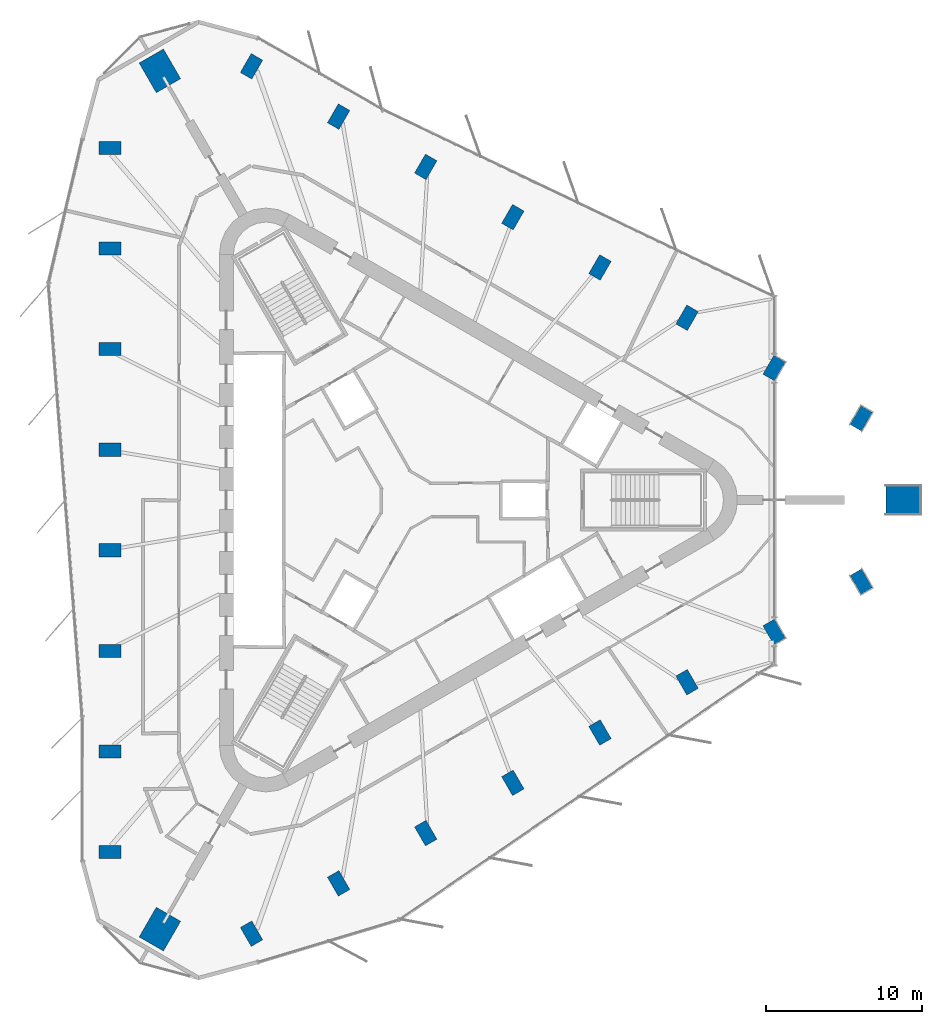
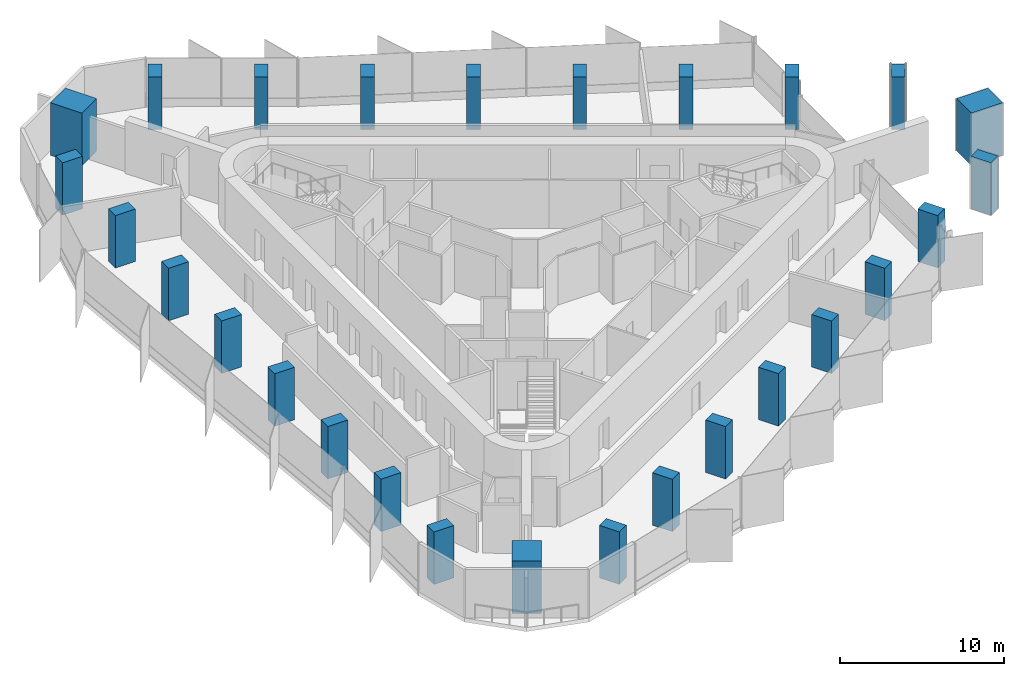
# One storey, part 1 of 12: 27 columns.
"""IFC4 building model written with IfcOpenShell, lengths in metres."""

from ifc_helpers import new_model, si_unit, direction, frame, origin, origin_2d, place, context, subcontext, project, spatial, rectangle, extrude, material, material_profile, profile_set, type_object, element, save


model = new_model("IFC4")

# Units and contexts
model_context = context("Model", 3, precision=1e-05, world=origin(), true_north=direction((0.0, 1.0)))
body_context = subcontext(model_context, "Body", "Model", "MODEL_VIEW")
ifc_project = project(units=[si_unit("LENGTHUNIT", "METRE"), si_unit("AREAUNIT", "SQUARE_METRE"), si_unit("VOLUMEUNIT", "CUBIC_METRE"), si_unit("PLANEANGLEUNIT", "RADIAN"), si_unit("MASSUNIT", "GRAM", prefix="KILO")], contexts=[model_context])

# Site, building, storey
site_placement = place(None, origin())
site = spatial("IfcSite", under=ifc_project, at=site_placement, CompositionType="ELEMENT")
building_placement = place(site_placement, origin())
building = spatial("IfcBuilding", under=site, at=building_placement, Name="Tanit Gate Tower", CompositionType="ELEMENT")
storey_placement = place(building_placement, frame((0.0, 0.0, 368.89990234375)))
storey = spatial("IfcBuildingStorey", under=building, at=storey_placement, Name="L84", CompositionType="ELEMENT", Elevation=368.89990234375)

# Columns
ifc_material_1 = material(Name="Concrete C50/60", Category="concrete")
ifc_material_profile_1 = material_profile(ifc_material_1, rectangle(XDim=2.199951171875, YDim=1.800048828125, at=origin_2d()), Name="RC 2200x1800")
ifc_profile_set_1 = profile_set([ifc_material_profile_1], Name="Concrete C50/60")
column_type_1 = type_object("IfcColumnType", Name="MEGA COLUMN 2200x1800 C50/60", PredefinedType="COLUMN", material=ifc_profile_set_1)
for number, where, z_axis, x_axis, name in (
    (1, (31.843505859375, 0.0, 0.0), (0.0, 0.0, 1.0), (1.0, 0.0, 0.0), "MEGA COLUMN"),
    (2, (-15.921875, 27.577392578125, 0.0), (0.0, 0.0, 1.0), (-0.5, 0.866025403784, 0.0), "MEGA COLUMN"),
    (3, (-15.921875, -27.577392578125, 0.0), (0.0, 0.0, 1.0), (-0.5, -0.866025403784, 0.0), "MEGA COLUMN"),
):
    element("IfcColumn", number, at=place(storey_placement, frame(where, z_axis=z_axis, x_axis=x_axis)), inside=storey, type_object=column_type_1, Name=name, PredefinedType="COLUMN", context=body_context, shape_type="SweptSolid", body=[
        extrude(rectangle(XDim=2.199951171875, YDim=1.800048828125, at=origin_2d()), origin(), (0.0, 0.0, 1.0), 3.900146484375),
    ])
ifc_material_2 = material(Name="Concrete C40/50", Category="concrete")
ifc_material_profile_2 = material_profile(ifc_material_2, rectangle(XDim=1.39990234375, YDim=0.85009765625, at=origin_2d()), Name="RC 1400x850")
ifc_profile_set_2 = profile_set([ifc_material_profile_2], Name="Concrete C40/50")
column_type_2 = type_object("IfcColumnType", Name="PERIMETER COLUMN 1400x850 C40/50", PredefinedType="COLUMN", material=ifc_profile_set_2)
for number, where, z_axis, x_axis, name in (
    (4, (-19.119873046875, 22.62353515625, 0.0), (0.0, 0.0, 1.0), (-1.0, 0.0, 0.0), "PERIMETER COLUMN"),
    (5, (-19.119873046875, 16.15966796875, 0.0), (0.0, 0.0, 1.0), (-1.0, 0.0, 0.0), "PERIMETER COLUMN"),
    (6, (-19.119873046875, 9.69580078125, 0.0), (0.0, 0.0, 1.0), (-1.0, 0.0, 0.0), "PERIMETER COLUMN"),
    (7, (-19.119873046875, 3.23193359375, 0.0), (0.0, 0.0, 1.0), (-1.0, 0.0, 0.0), "PERIMETER COLUMN"),
    (8, (-19.119873046875, -3.23193359375, 0.0), (0.0, 0.0, 1.0), (-1.0, 0.0, 0.0), "PERIMETER COLUMN"),
    (9, (-19.119873046875, -9.69580078125, 0.0), (0.0, 0.0, 1.0), (-1.0, 0.0, 0.0), "PERIMETER COLUMN"),
    (10, (-19.119873046875, -16.15966796875, 0.0), (0.0, 0.0, 1.0), (-1.0, 0.0, 0.0), "PERIMETER COLUMN"),
    (11, (-19.119873046875, -22.62353515625, 0.0), (0.0, 0.0, 1.0), (-1.0, 0.0, 0.0), "PERIMETER COLUMN"),
    (12, (29.152587890625, 5.24658203125, 0.0), (0.0, 0.0, 1.0), (0.5, 0.866025403784, 0.0), "PERIMETER COLUMN"),
    (13, (23.5546875, 8.478515625, 0.0), (0.0, 0.0, 1.0), (0.5, 0.866025403784, 0.0), "PERIMETER COLUMN"),
    (14, (17.956787109375, 11.71044921875, 0.0), (0.0, 0.0, 1.0), (0.5, 0.866025403784, 0.0), "PERIMETER COLUMN"),
    (15, (12.35888671875, 14.9423828125, 0.0), (0.0, 0.0, 1.0), (0.5, 0.866025403784, 0.0), "PERIMETER COLUMN"),
    (16, (6.760986328125, 18.17431640625, 0.0), (0.0, 0.0, 1.0), (0.5, 0.866025403784, 0.0), "PERIMETER COLUMN"),
    (17, (1.1630859375, 21.40625, 0.0), (0.0, 0.0, 1.0), (0.5, 0.866025403784, 0.0), "PERIMETER COLUMN"),
    (18, (-4.434814453125, 24.63818359375, 0.0), (0.0, 0.0, 1.0), (0.5, 0.866025403784, 0.0), "PERIMETER COLUMN"),
    (19, (-10.03271484375, 27.8701171875, 0.0), (0.0, 0.0, 1.0), (0.5, 0.866025403784, 0.0), "PERIMETER COLUMN"),
    (20, (-10.03271484375, -27.8701171875, 0.0), (0.0, 0.0, 1.0), (0.5, -0.866025403784, 0.0), "PERIMETER COLUMN"),
    (21, (-4.434814453125, -24.63818359375, 0.0), (0.0, 0.0, 1.0), (0.5, -0.866025403784, 0.0), "PERIMETER COLUMN"),
    (22, (1.1630859375, -21.40625, 0.0), (0.0, 0.0, 1.0), (0.5, -0.866025403784, 0.0), "PERIMETER COLUMN"),
    (23, (6.760986328125, -18.17431640625, 0.0), (0.0, 0.0, 1.0), (0.5, -0.866025403784, 0.0), "PERIMETER COLUMN"),
    (24, (12.35888671875, -14.9423828125, 0.0), (0.0, 0.0, 1.0), (0.5, -0.866025403784, 0.0), "PERIMETER COLUMN"),
    (25, (17.956787109375, -11.71044921875, 0.0), (0.0, 0.0, 1.0), (0.5, -0.866025403784, 0.0), "PERIMETER COLUMN"),
    (26, (23.5546875, -8.478515625, 0.0), (0.0, 0.0, 1.0), (0.5, -0.866025403784, 0.0), "PERIMETER COLUMN"),
    (27, (29.152587890625, -5.24658203125, 0.0), (0.0, 0.0, 1.0), (0.5, -0.866025403784, 0.0), "PERIMETER COLUMN"),
):
    element("IfcColumn", number, at=place(storey_placement, frame(where, z_axis=z_axis, x_axis=x_axis)), inside=storey, type_object=column_type_2, Name=name, PredefinedType="COLUMN", context=body_context, shape_type="SweptSolid", body=[
        extrude(rectangle(XDim=1.39990234375, YDim=0.85009765625, at=origin_2d()), origin(), (0.0, 0.0, 1.0), 3.900146484375),
    ])

save(model, "model.ifc")
